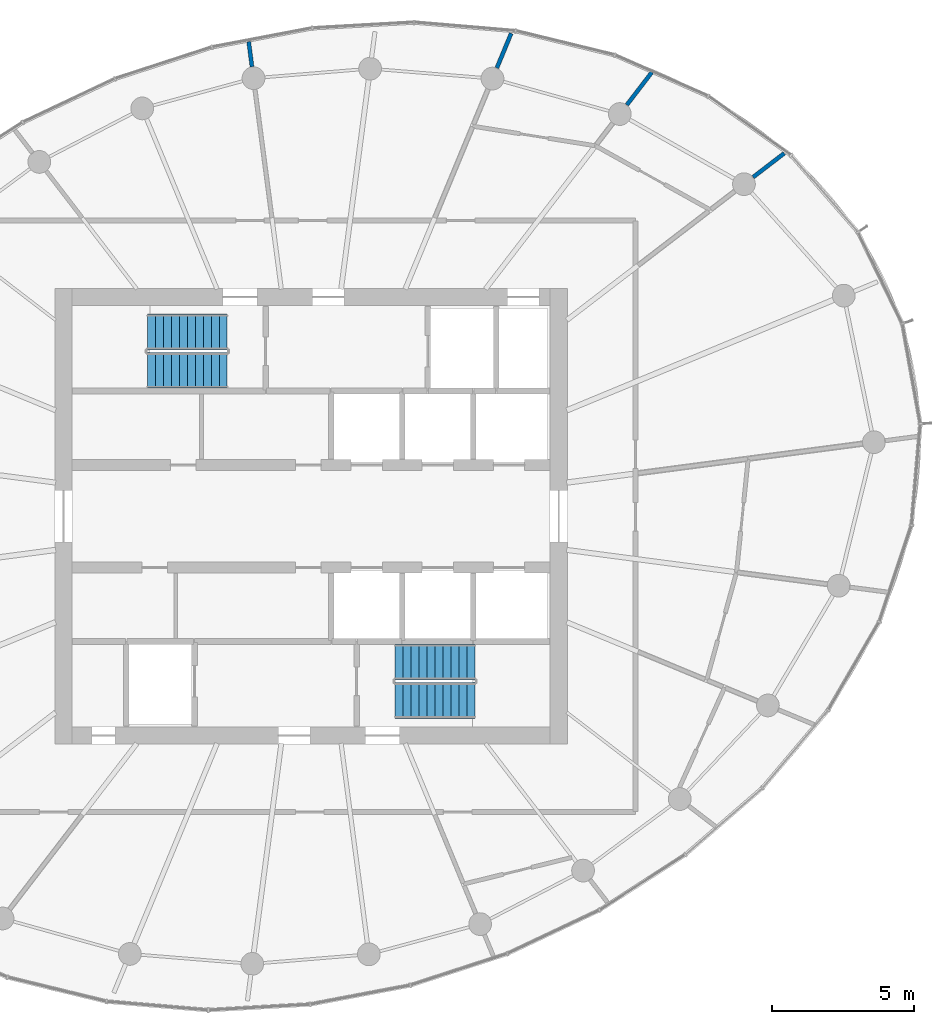
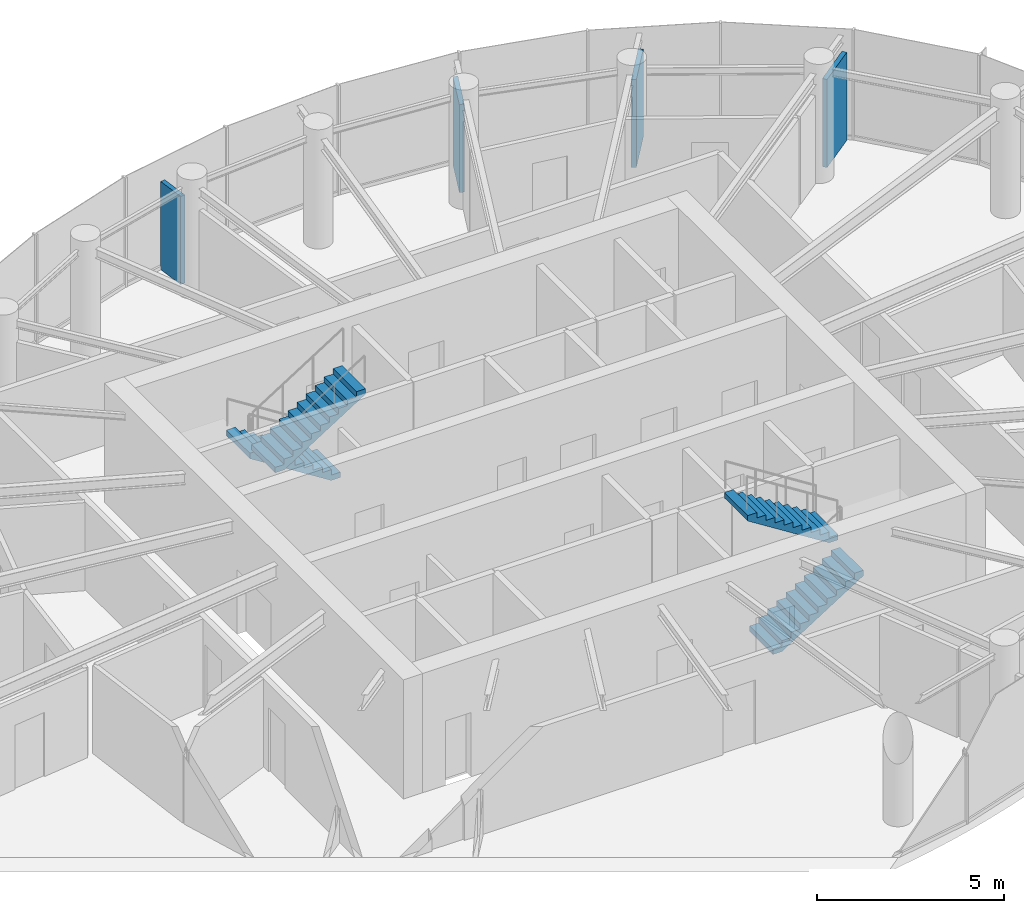
# One storey, part 11 of 13: 4 stair flights, 4 walls, 2 elements without a shape of their own.
"""IFC4 building model written with IfcOpenShell, lengths in metres."""

import ifcopenshell
import ifcopenshell.guid

model = None  # the IFC model being written
_history = None  # IfcOwnerHistory: only IFC2X3 demands one
_inside = {}  # id of a spatial element -> (the spatial element, [elements in it])
_under = {}  # id of a project, library or spatial element -> (it, [spatial elements below it])
_declared = {}  # id of a project -> (the project, [libraries it declares])
_typed = {}  # id of a type object -> (the type object, [elements of that type])
_made_of = {}  # id of a material, layer set ... -> (it, [elements and type objects made of it])


def new_model(schema):
    """Start an empty IFC model of exactly this schema.

    Asked for "IFC4X3", IfcOpenShell would pick the latest addendum, in which some entities
    have other attributes; the version numbers below select the first issue.
    IFC2X3 requires an IfcOwnerHistory on every rooted entity: one is made here for all.
    """
    global model, _history
    if schema == "IFC4X3":
        model = ifcopenshell.file(schema_version=(4, 3, 0, 0))
    else:
        model = ifcopenshell.file(schema=schema)
    _inside.clear()
    _under.clear()
    _declared.clear()
    _typed.clear()
    _made_of.clear()
    _history = None
    if model.schema == "IFC2X3":
        org = make("IfcOrganization", Name="unknown")
        user = make(
            "IfcPersonAndOrganization",
            ThePerson=make("IfcPerson", FamilyName="unknown"),
            TheOrganization=org,
        )
        app = make(
            "IfcApplication",
            ApplicationDeveloper=org,
            Version="unknown",
            ApplicationFullName="unknown",
            ApplicationIdentifier="unknown",
        )
        _history = make(
            "IfcOwnerHistory",
            OwningUser=user,
            OwningApplication=app,
            ChangeAction="ADDED",
            CreationDate=0,
        )
    return model


def make(cls, **values):
    """One entity of the class cls with the attributes given. An attribute that is None is left unset."""
    return model.create_entity(
        cls, **{name: value for name, value in values.items() if value is not None}
    )


def rooted(cls, **values):
    """An entity with a GlobalId (a new one), such as an element, a storey or a relation."""
    return make(cls, GlobalId=ifcopenshell.guid.new(), OwnerHistory=_history, **values)


def si_unit(unit_type, name, prefix=None):
    """IfcSIUnit, for example si_unit("LENGTHUNIT", "METRE", prefix="MILLI")."""
    return make("IfcSIUnit", UnitType=unit_type, Prefix=prefix, Name=name)


def assignment(units):
    """IfcUnitAssignment: the units of a project."""
    return None if units is None else make("IfcUnitAssignment", Units=units)


def point(xyz):
    """IfcCartesianPoint."""
    return None if xyz is None else make("IfcCartesianPoint", Coordinates=xyz)


def direction(xyz):
    """IfcDirection."""
    return None if xyz is None else make("IfcDirection", DirectionRatios=xyz)


def frame(location, z_axis=None, x_axis=None):
    """IfcAxis2Placement3D, a coordinate frame: its origin and axes. An axis left out is left unset."""
    return make(
        "IfcAxis2Placement3D",
        Location=point(location),
        Axis=direction(z_axis),
        RefDirection=direction(x_axis),
    )


def frame_2d(location, x_axis=None):
    """IfcAxis2Placement2D, a coordinate frame in the plane: its origin and x axis."""
    return make(
        "IfcAxis2Placement2D", Location=point(location), RefDirection=direction(x_axis)
    )


def origin():
    """The frame at (0, 0, 0) with its axes left unset."""
    return frame((0.0, 0.0, 0.0))


def place(relative_to, where):
    """IfcLocalPlacement: puts the frame where relative to a parent placement (None: the world)."""
    return make(
        "IfcLocalPlacement", PlacementRelTo=relative_to, RelativePlacement=where
    )


def context(
    kind, dimensions, precision=None, world=None, true_north=None, identifier=None
):
    """IfcGeometricRepresentationContext, for example the 3D "Model" context."""
    return make(
        "IfcGeometricRepresentationContext",
        ContextIdentifier=identifier,
        ContextType=kind,
        CoordinateSpaceDimension=dimensions,
        Precision=precision,
        WorldCoordinateSystem=world,
        TrueNorth=true_north,
    )


def subcontext(parent, identifier, kind, view, scale=None):
    """IfcGeometricRepresentationSubContext, for example "Body" below "Model"."""
    return make(
        "IfcGeometricRepresentationSubContext",
        ContextIdentifier=identifier,
        ContextType=kind,
        ParentContext=parent,
        TargetScale=scale,
        TargetView=view,
    )


def project(units=None, contexts=None):
    """IfcProject with its units and contexts."""
    return rooted(
        "IfcProject",
        Name="project",
        RepresentationContexts=contexts,
        UnitsInContext=assignment(units),
    )


def spatial(cls, under=None, at=None, **own):
    """A site, building, storey or space (cls), placed at a placement, below another one or the project."""
    s = rooted(cls, ObjectPlacement=at, **own)
    if under is not None:
        _under.setdefault(under.id(), (under, []))[1].append(s)
    return s


def point_list(points):
    """IfcCartesianPointList2D or 3D."""
    cls = (
        "IfcCartesianPointList2D" if len(points[0]) == 2 else "IfcCartesianPointList3D"
    )
    return make(cls, CoordList=points)


def line(*indices):
    """IfcLineIndex: a straight run through numbered points of an indexed curve."""
    return model.create_entity("IfcLineIndex", indices)


def indexed_curve(points, segments=None, self_intersect=None):
    """IfcIndexedPolyCurve: lines and arcs through numbered points (the first is 1)."""
    return make(
        "IfcIndexedPolyCurve",
        Points=point_list(points),
        Segments=segments,
        SelfIntersect=self_intersect,
    )


def profile(cls, at=None, kind="AREA", **sizes):
    """A parametric profile (cls). Its sizes go by their IFC names, for example OverallWidth=200.0."""
    return make(cls, ProfileType=kind, Position=at, **sizes)


def rectangle(**sizes):
    """IfcRectangleProfileDef."""
    return profile("IfcRectangleProfileDef", **sizes)


def outline(outer, holes=None, kind="AREA"):
    """IfcArbitraryClosedProfileDef: a profile drawn as a closed curve; with holes, ...WithVoids."""
    if holes is None:
        return make("IfcArbitraryClosedProfileDef", ProfileType=kind, OuterCurve=outer)
    return make(
        "IfcArbitraryProfileDefWithVoids",
        ProfileType=kind,
        OuterCurve=outer,
        InnerCurves=holes,
    )


def extrude(swept, where, along, depth):
    """IfcExtrudedAreaSolid: the profile swept, set in the frame where, extruded along a direction by depth."""
    return make(
        "IfcExtrudedAreaSolid",
        SweptArea=swept,
        Position=where,
        ExtrudedDirection=direction(along),
        Depth=depth,
    )


def shape(context_of_items, identifier, shape_type, items):
    """IfcShapeRepresentation: the items that make up one representation, for example the "Body"."""
    return make(
        "IfcShapeRepresentation",
        ContextOfItems=context_of_items,
        RepresentationIdentifier=identifier,
        RepresentationType=shape_type,
        Items=items,
    )


def material(Name=None, Category=None):
    """IfcMaterial."""
    return make("IfcMaterial", Name=Name, Category=Category)


def layer(
    of_material, thickness, ventilated=None, Name=None, Category=None, Priority=None
):
    """IfcMaterialLayer: one layer of a wall or slab, of a material (None: an air gap)."""
    return make(
        "IfcMaterialLayer",
        Material=of_material,
        LayerThickness=thickness,
        IsVentilated=ventilated,
        Name=Name,
        Category=Category,
        Priority=Priority,
    )


def layer_set(layers, Name=None):
    """IfcMaterialLayerSet."""
    return make("IfcMaterialLayerSet", MaterialLayers=layers, LayerSetName=Name)


def made_of(thing, what):
    """Note that an element or type object is made of a material, layer set ...; save() writes the relation."""
    if what is not None:
        _made_of.setdefault(what.id(), (what, []))[1].append(thing)
    return thing


def type_object(cls, material=None, **own):
    """A type object (cls), such as IfcWallType, which elements share."""
    return made_of(rooted(cls, **own), material)


def element(
    cls,
    number,
    at=None,
    inside=None,
    cuts=None,
    type_object=None,
    material=None,
    context=None,
    identifier="Body",
    shape_type=None,
    held_by="IfcProductDefinitionShape",
    body=None,
    shapes=None,
    **own,
):
    """One element of the class cls, such as IfcWall. Its Tag is "e" and its number.

    at: its placement. inside: the storey or other place that contains it. cuts: it is an
    opening in that element (IfcRelVoidsElement). A single representation is given by context,
    identifier, shape_type and body (its items); several are given by shapes. held_by: the class
    of the entity that holds the representations. save() writes the other relations.
    """
    e = rooted(cls, Tag="e%d" % number, ObjectPlacement=at, **own)
    if body is not None:
        shapes = [shape(context, identifier, shape_type, body)]
    if shapes is not None:
        e.Representation = make(held_by, Representations=shapes)
    if inside is not None:
        _inside.setdefault(inside.id(), (inside, []))[1].append(e)
    if cuts is not None:
        rooted(
            "IfcRelVoidsElement", RelatingBuildingElement=cuts, RelatedOpeningElement=e
        )
    if type_object is not None:
        _typed.setdefault(type_object.id(), (type_object, []))[1].append(e)
    return made_of(e, material)


def aggregate(whole, parts):
    """IfcRelAggregates: a whole, such as a stair, and the parts it consists of."""
    return rooted("IfcRelAggregates", RelatingObject=whole, RelatedObjects=parts)


def save(model, path):
    """Write the relations noted so far, then the file.

    IfcRelAggregates (storeys below a building ...), IfcRelContainedInSpatialStructure (elements
    in a storey), IfcRelDefinesByType, IfcRelAssociatesMaterial and IfcRelDeclares: one each for
    every whole, place, type object, material and project.
    """
    for whole, parts in _under.values():
        aggregate(whole, parts)
    for where, things in _inside.values():
        rooted(
            "IfcRelContainedInSpatialStructure",
            RelatedElements=things,
            RelatingStructure=where,
        )
    for kind, things in _typed.values():
        rooted("IfcRelDefinesByType", RelatedObjects=things, RelatingType=kind)
    for what, things in _made_of.values():
        rooted("IfcRelAssociatesMaterial", RelatedObjects=things, RelatingMaterial=what)
    for by, libraries in _declared.values():
        rooted("IfcRelDeclares", RelatingContext=by, RelatedDefinitions=libraries)
    model.write(path)


model = new_model("IFC4")

# Units and contexts
model_context = context("Model", 3, precision=1e-05, world=origin(), true_north=direction((0.0, 1.0)))
body_context = subcontext(model_context, "Body", "Model", "MODEL_VIEW")
ifc_project = project(units=[si_unit("LENGTHUNIT", "METRE"), si_unit("AREAUNIT", "SQUARE_METRE"), si_unit("VOLUMEUNIT", "CUBIC_METRE"), si_unit("PLANEANGLEUNIT", "RADIAN"), si_unit("MASSUNIT", "GRAM", prefix="KILO")], contexts=[model_context])

# Site, building, storey
site_placement = place(None, origin())
site = spatial("IfcSite", under=ifc_project, at=site_placement, CompositionType="ELEMENT")
building_placement = place(site_placement, origin())
building = spatial("IfcBuilding", under=site, at=building_placement, Name="Spindrift Exchange Tower", CompositionType="ELEMENT")
storey_placement = place(building_placement, frame((0.0, 0.0, 250.10009765625)))
storey = spatial("IfcBuildingStorey", under=building, at=storey_placement, Name="L61", CompositionType="ELEMENT", Elevation=250.10009765625)

# Walls
ifc_material_1 = material(Name="Fire-rated plasterboard partition", Category="gypsum")
ifc_layer = layer(ifc_material_1, 0.139892578125)
ifc_layer_set = layer_set([ifc_layer], Name="W-PART-140")
wall_type = type_object("IfcWallType", Name="W-PART-140", PredefinedType="PARTITIONING", material=ifc_layer_set)
wall_1_placement = place(storey_placement, frame((63.09326171875, 62.456787109375, 0.0), z_axis=(0.0, 0.0, 1.0), x_axis=(0.608682974902, 0.793413534082, 0.0)))
element("IfcWall", 1, at=wall_1_placement, inside=storey, type_object=wall_type, Name="L61 Partition wall 60", PredefinedType="PARTITIONING", context=body_context, shape_type="SweptSolid", body=[
    extrude(rectangle(XDim=1.447265625, YDim=0.139892578125, at=frame_2d((0.7236328125, 0.0))), origin(), (0.0, 0.0, 1.0), 2.8798828125),
])
wall_2_placement = place(storey_placement, frame((67.530517578125, 59.9169921875, 0.0), z_axis=(0.0, 0.0, 1.0), x_axis=(0.793347091369, 0.608769572676, 0.0)))
element("IfcWall", 2, at=wall_2_placement, inside=storey, type_object=wall_type, Name="L61 Partition wall 63", PredefinedType="PARTITIONING", context=body_context, shape_type="SweptSolid", body=[
    extrude(rectangle(XDim=1.379638671875, YDim=0.139892578125, at=frame_2d((0.68994140625, 0.0))), origin(), (0.0, 0.0, 1.0), 2.8798828125),
])
wall_3_placement = place(storey_placement, frame((58.526611328125, 63.7568359375, 0.0), z_axis=(0.0, 0.0, 1.0), x_axis=(0.38271770781, 0.923865334412, 0.0)))
element("IfcWall", 3, at=wall_3_placement, inside=storey, type_object=wall_type, Name="L61 Partition wall 69", PredefinedType="PARTITIONING", context=body_context, shape_type="SweptSolid", body=[
    extrude(rectangle(XDim=1.31591796875, YDim=0.139892578125, at=frame_2d((0.657958984375, 0.0))), origin(), (0.0, 0.0, 1.0), 2.8798828125),
])
wall_4_placement = place(storey_placement, frame((49.92041015625, 63.797119140625, 0.0), z_axis=(0.0, 0.0, 1.0), x_axis=(-0.130703637237, 0.991421484139, 0.0)))
element("IfcWall", 4, at=wall_4_placement, inside=storey, type_object=wall_type, Name="L61 Partition wall 79", PredefinedType="PARTITIONING", context=body_context, shape_type="SweptSolid", body=[
    extrude(rectangle(XDim=0.88720703125, YDim=0.139892578125, at=frame_2d((0.443603515625, 0.0))), origin(), (0.0, 0.0, 1.0), 2.8798828125),
])

# Stair, stair flights
ifc_material_2 = material(Name="Concrete 50 MPa", Category="concrete")
stair_type = type_object("IfcStairType", Name="ST-1250-R177", PredefinedType="HALF_TURN_STAIR", material=ifc_material_2)
stair_1_placement = place(storey_placement, origin())
stair_1 = element("IfcStair", 5, at=stair_1_placement, inside=storey, type_object=stair_type, Name="L61 Exit stair ST1", PredefinedType="HALF_TURN_STAIR")
stair_flight_type = type_object("IfcStairFlightType", Name="STF-1250-R177", PredefinedType="STRAIGHT", material=ifc_material_2)
stair_flight_1_placement = place(storey_placement, frame((49.050048828125, 54.47509765625, 0.0), z_axis=(0.0, 0.0, 1.0), x_axis=(-1.0, 0.0, 0.0)))
stair_flight_1 = element("IfcStairFlight", 6, at=stair_flight_1_placement, type_object=stair_flight_type, Name="ST1 flight 1", NumberOfRisers=11, NumberOfTreads=10, PredefinedType="STRAIGHT", RiserHeight=0.177272727, TreadLength=0.28, context=body_context, shape_type="SweptSolid", body=[
    extrude(outline(indexed_curve([(0.0, 0.0), (0.0, 0.177734375), (0.2802734375, 0.177734375), (0.2802734375, 0.3544921875), (0.5595703125, 0.3544921875), (0.5595703125, 0.5322265625), (0.83984375, 0.5322265625), (0.83984375, 0.708984375), (1.1201171875, 0.708984375), (1.1201171875, 0.88671875), (1.400390625, 0.88671875), (1.400390625, 1.0634765625), (1.6796875, 1.0634765625), (1.6796875, 1.2412109375), (1.9599609375, 1.2412109375), (1.9599609375, 1.41796875), (2.240234375, 1.41796875), (2.240234375, 1.595703125), (2.51953125, 1.595703125), (2.51953125, 1.7724609375), (2.7998046875, 1.7724609375), (2.7998046875, 1.9501953125), (2.7998046875, 1.595703125), (0.2802734375, 0.0)], segments=[line(1, 2, 3, 4, 5, 6, 7, 8, 9, 10, 11, 12, 13, 14, 15, 16, 17, 18, 19, 20, 21, 22, 23, 24, 1)], self_intersect=False)), frame((0.0, 0.625, 0.0), z_axis=(0.0, -1.0, 0.0), x_axis=(1.0, 0.0, 0.0)), (0.0, 0.0, 1.0), 1.25),
])
stair_flight_2_placement = place(storey_placement, frame((46.25, 53.125, 1.949951171875), z_axis=(0.0, 0.0, 1.0), x_axis=(1.0, 0.0, 0.0)))
stair_flight_2 = element("IfcStairFlight", 7, at=stair_flight_2_placement, type_object=stair_flight_type, Name="ST1 flight 2", NumberOfRisers=11, NumberOfTreads=10, PredefinedType="STRAIGHT", RiserHeight=0.177272727, TreadLength=0.28, context=body_context, shape_type="SweptSolid", body=[
    extrude(outline(indexed_curve([(0.0, 0.0), (0.0, 0.177734375), (0.2802734375, 0.177734375), (0.2802734375, 0.3544921875), (0.5595703125, 0.3544921875), (0.5595703125, 0.5322265625), (0.83984375, 0.5322265625), (0.83984375, 0.708984375), (1.1201171875, 0.708984375), (1.1201171875, 0.88671875), (1.400390625, 0.88671875), (1.400390625, 1.0634765625), (1.6796875, 1.0634765625), (1.6796875, 1.2412109375), (1.9599609375, 1.2412109375), (1.9599609375, 1.41796875), (2.240234375, 1.41796875), (2.240234375, 1.595703125), (2.51953125, 1.595703125), (2.51953125, 1.7724609375), (2.7998046875, 1.7724609375), (2.7998046875, 1.9501953125), (2.7998046875, 1.595703125), (0.2802734375, 0.0)], segments=[line(1, 2, 3, 4, 5, 6, 7, 8, 9, 10, 11, 12, 13, 14, 15, 16, 17, 18, 19, 20, 21, 22, 23, 24, 1)], self_intersect=False)), frame((0.0, 0.625, 0.0), z_axis=(0.0, -1.0, 0.0), x_axis=(1.0, 0.0, 0.0)), (0.0, 0.0, 1.0), 1.25),
])
aggregate(stair_1, [stair_flight_1, stair_flight_2])

stair_2_placement = place(storey_placement, origin())
stair_2 = element("IfcStair", 8, at=stair_2_placement, inside=storey, type_object=stair_type, Name="L61 Exit stair ST2", PredefinedType="HALF_TURN_STAIR")
stair_flight_3_placement = place(storey_placement, frame((54.949951171875, 41.52490234375, 0.0), z_axis=(0.0, 0.0, 1.0), x_axis=(1.0, 0.0, 0.0)))
stair_flight_3 = element("IfcStairFlight", 9, at=stair_flight_3_placement, type_object=stair_flight_type, Name="ST2 flight 1", NumberOfRisers=11, NumberOfTreads=10, PredefinedType="STRAIGHT", RiserHeight=0.177272727, TreadLength=0.28, context=body_context, shape_type="SweptSolid", body=[
    extrude(outline(indexed_curve([(0.0, 0.0), (0.0, 0.177734375), (0.2802734375, 0.177734375), (0.2802734375, 0.3544921875), (0.5595703125, 0.3544921875), (0.5595703125, 0.5322265625), (0.83984375, 0.5322265625), (0.83984375, 0.708984375), (1.1201171875, 0.708984375), (1.1201171875, 0.88671875), (1.400390625, 0.88671875), (1.400390625, 1.0634765625), (1.6796875, 1.0634765625), (1.6796875, 1.2412109375), (1.9599609375, 1.2412109375), (1.9599609375, 1.41796875), (2.240234375, 1.41796875), (2.240234375, 1.595703125), (2.51953125, 1.595703125), (2.51953125, 1.7724609375), (2.7998046875, 1.7724609375), (2.7998046875, 1.9501953125), (2.7998046875, 1.595703125), (0.2802734375, 0.0)], segments=[line(1, 2, 3, 4, 5, 6, 7, 8, 9, 10, 11, 12, 13, 14, 15, 16, 17, 18, 19, 20, 21, 22, 23, 24, 1)], self_intersect=False)), frame((0.0, 0.625, 0.0), z_axis=(0.0, -1.0, 0.0), x_axis=(1.0, 0.0, 0.0)), (0.0, 0.0, 1.0), 1.25),
])
stair_flight_4_placement = place(storey_placement, frame((57.75, 42.875, 1.949951171875), z_axis=(0.0, 0.0, 1.0), x_axis=(-1.0, 0.0, 0.0)))
stair_flight_4 = element("IfcStairFlight", 10, at=stair_flight_4_placement, type_object=stair_flight_type, Name="ST2 flight 2", NumberOfRisers=11, NumberOfTreads=10, PredefinedType="STRAIGHT", RiserHeight=0.177272727, TreadLength=0.28, context=body_context, shape_type="SweptSolid", body=[
    extrude(outline(indexed_curve([(0.0, 0.0), (0.0, 0.177734375), (0.2802734375, 0.177734375), (0.2802734375, 0.3544921875), (0.5595703125, 0.3544921875), (0.5595703125, 0.5322265625), (0.83984375, 0.5322265625), (0.83984375, 0.708984375), (1.1201171875, 0.708984375), (1.1201171875, 0.88671875), (1.400390625, 0.88671875), (1.400390625, 1.0634765625), (1.6796875, 1.0634765625), (1.6796875, 1.2412109375), (1.9599609375, 1.2412109375), (1.9599609375, 1.41796875), (2.240234375, 1.41796875), (2.240234375, 1.595703125), (2.51953125, 1.595703125), (2.51953125, 1.7724609375), (2.7998046875, 1.7724609375), (2.7998046875, 1.9501953125), (2.7998046875, 1.595703125), (0.2802734375, 0.0)], segments=[line(1, 2, 3, 4, 5, 6, 7, 8, 9, 10, 11, 12, 13, 14, 15, 16, 17, 18, 19, 20, 21, 22, 23, 24, 1)], self_intersect=False)), frame((0.0, 0.625, 0.0), z_axis=(0.0, -1.0, 0.0), x_axis=(1.0, 0.0, 0.0)), (0.0, 0.0, 1.0), 1.25),
])
aggregate(stair_2, [stair_flight_3, stair_flight_4])

save(model, "model.ifc")
